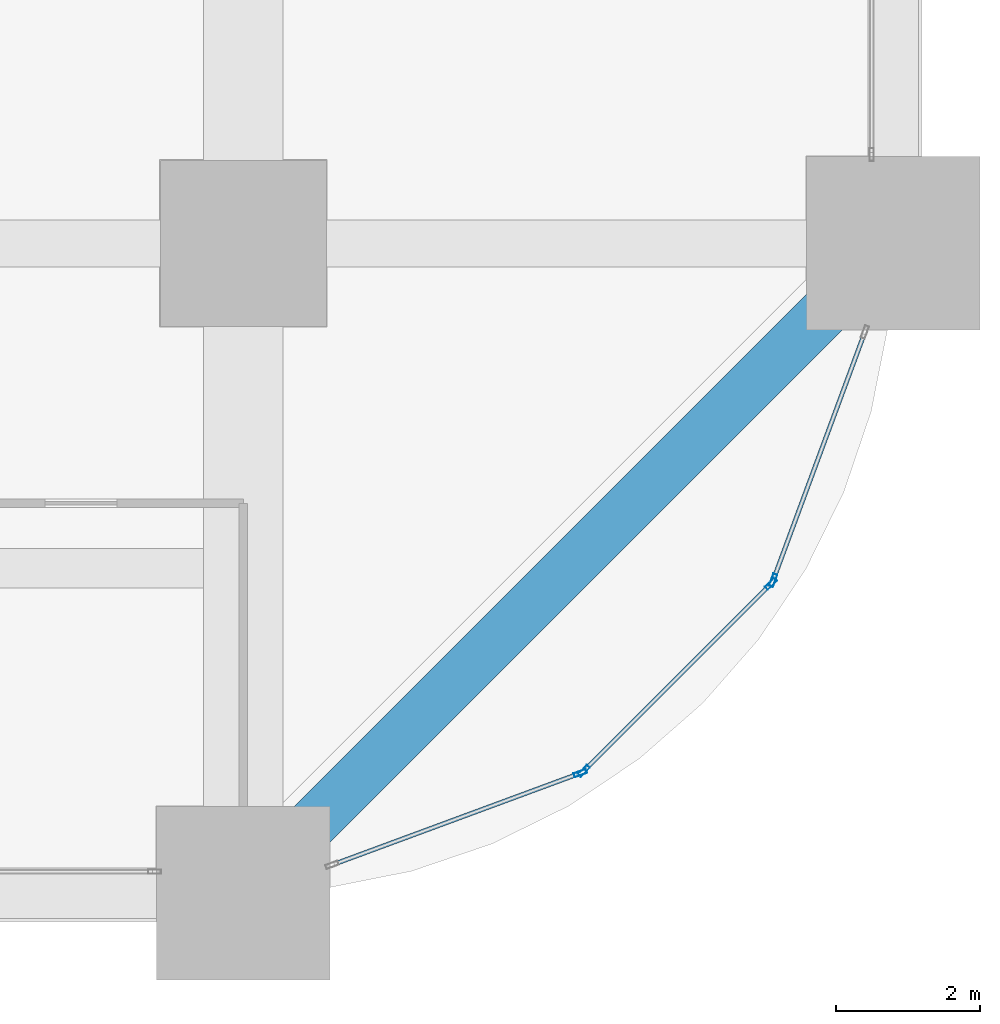
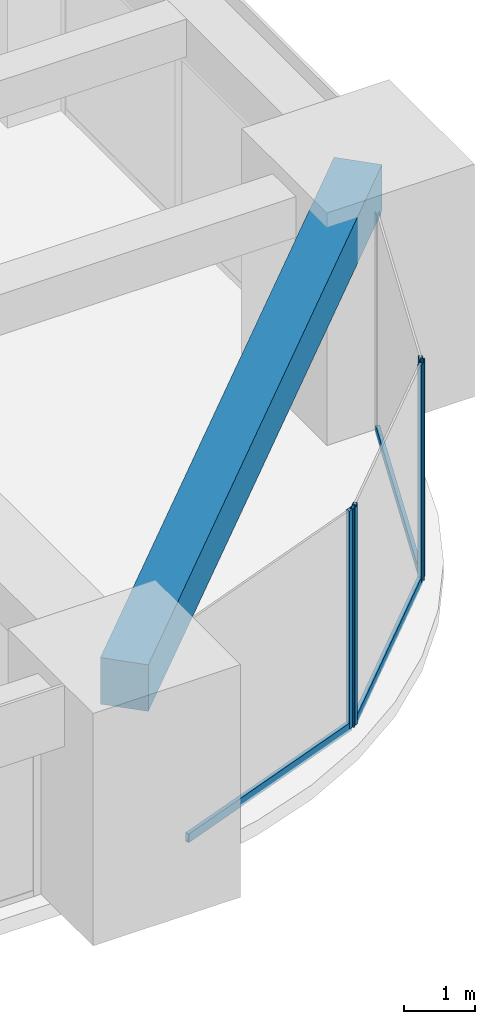
# One storey, part 16 of 45: 7 members, 1 beam, 3 elements without a shape of their own.
"""IFC4 building model written with IfcOpenShell, lengths in metres."""

from ifc_helpers import new_model, si_unit, direction, frame, origin, origin_2d, place, context, subcontext, project, spatial, rectangle, hollow_rectangle, extrude, material, material_profile, profile_set, type_object, element, aggregate, save


model = new_model("IFC4")

# Units and contexts
model_context = context("Model", 3, precision=1e-05, world=origin(), true_north=direction((0.0, 1.0)))
body_context = subcontext(model_context, "Body", "Model", "MODEL_VIEW")
ifc_project = project(units=[si_unit("LENGTHUNIT", "METRE"), si_unit("AREAUNIT", "SQUARE_METRE"), si_unit("VOLUMEUNIT", "CUBIC_METRE"), si_unit("PLANEANGLEUNIT", "RADIAN"), si_unit("MASSUNIT", "GRAM", prefix="KILO")], contexts=[model_context])

# Site, building, storey
site_placement = place(None, origin())
site = spatial("IfcSite", under=ifc_project, at=site_placement, CompositionType="ELEMENT")
building_placement = place(site_placement, origin())
building = spatial("IfcBuilding", under=site, at=building_placement, Name="Zorevar Civic Tower", CompositionType="ELEMENT")
storey_placement = place(building_placement, frame((0.0, 0.0, 39.800048828125)))
storey = spatial("IfcBuildingStorey", under=building, at=storey_placement, Name="L09", CompositionType="ELEMENT", Elevation=39.800048828125)

# Curtain wall, member
ifc_material_1 = material(Name="Dark grey solar-control glass in black aluminium frame", Category="aluminium")
curtain_wall_type = type_object("IfcCurtainWallType", Name="Curtain wall CW2 low zone", PredefinedType="NOTDEFINED", material=ifc_material_1)
curtain_wall_1_placement = place(storey_placement, origin())
curtain_wall_1 = element("IfcCurtainWall", 1, at=curtain_wall_1_placement, inside=storey, type_object=curtain_wall_type, Name="CW2 L09", PredefinedType="NOTDEFINED")
ifc_material_2 = material(Name="Aluminium, black anodised", Category="aluminium")
ifc_material_profile_1 = material_profile(ifc_material_2, hollow_rectangle(XDim=0.06005859375, YDim=0.179931640625, WallThickness=0.00390625, at=origin_2d()), Name="AL 180x60x4")
ifc_profile_set_1 = profile_set([ifc_material_profile_1], Name="Aluminium, black anodised")
member_type_1 = type_object("IfcMemberType", Name="CW2 mullion AL 180x60x4", PredefinedType="MULLION", material=ifc_profile_set_1)
member_1_placement = place(storey_placement, frame((58.66455078125, 1.663818359375, 0.0), z_axis=(0.0, 0.0, 1.0), x_axis=(-0.346704012033, 0.937974588163, 0.0)))
member_1 = element("IfcMember", 2, at=member_1_placement, type_object=member_type_1, Name="CW2 mullion 2", PredefinedType="MULLION", context=body_context, shape_type="SweptSolid", body=[
    extrude(hollow_rectangle(XDim=0.06005859375, YDim=0.179931640625, WallThickness=0.00390625, at=origin_2d()), origin(), (0.0, 0.0, 1.0), 3.75),
])

# Curtain wall, members
curtain_wall_2_placement = place(storey_placement, origin())
curtain_wall_2 = element("IfcCurtainWall", 3, at=curtain_wall_2_placement, inside=storey, type_object=curtain_wall_type, Name="CW2 L09", PredefinedType="NOTDEFINED")
member_2_placement = place(storey_placement, frame((58.7138671875, 1.6953125, 0.0), z_axis=(0.0, 0.0, 1.0), x_axis=(-0.707106781187, 0.707106781187, 0.0)))
member_2 = element("IfcMember", 4, at=member_2_placement, type_object=member_type_1, Name="CW2 mullion 1", PredefinedType="MULLION", context=body_context, shape_type="SweptSolid", body=[
    extrude(hollow_rectangle(XDim=0.06005859375, YDim=0.179931640625, WallThickness=0.00390625, at=origin_2d()), origin(), (0.0, 0.0, 1.0), 3.75),
])
member_3_placement = place(storey_placement, frame((61.3046875, 4.2861328125, 0.0), z_axis=(0.0, 0.0, 1.0), x_axis=(-0.707106781187, 0.707106781187, 0.0)))
member_3 = element("IfcMember", 5, at=member_3_placement, type_object=member_type_1, Name="CW2 mullion 2", PredefinedType="MULLION", context=body_context, shape_type="SweptSolid", body=[
    extrude(hollow_rectangle(XDim=0.06005859375, YDim=0.179931640625, WallThickness=0.00390625, at=origin_2d()), origin(), (0.0, 0.0, 1.0), 3.75),
])

# Curtain wall, member
curtain_wall_3_placement = place(storey_placement, origin())
curtain_wall_3 = element("IfcCurtainWall", 6, at=curtain_wall_3_placement, inside=storey, type_object=curtain_wall_type, Name="CW2 L09", PredefinedType="NOTDEFINED")
member_4_placement = place(storey_placement, frame((61.336181640625, 4.33544921875, 0.0), z_axis=(0.0, 0.0, 1.0), x_axis=(-0.937974588163, 0.346704012033, 0.0)))
member_4 = element("IfcMember", 7, at=member_4_placement, type_object=member_type_1, Name="CW2 mullion 1", PredefinedType="MULLION", context=body_context, shape_type="SweptSolid", body=[
    extrude(hollow_rectangle(XDim=0.06005859375, YDim=0.179931640625, WallThickness=0.00390625, at=origin_2d()), origin(), (0.0, 0.0, 1.0), 3.75),
])

# Member
ifc_material_3 = material(Name="Aluminium, black anodised", Category="aluminium")
ifc_material_profile_2 = material_profile(ifc_material_3, hollow_rectangle(XDim=0.06005859375, YDim=0.14990234375, WallThickness=0.00390625, at=origin_2d()), Name="AL 150x60x4")
ifc_profile_set_2 = profile_set([ifc_material_profile_2], Name="Aluminium, black anodised")
member_type_2 = type_object("IfcMemberType", Name="CW2 transom AL 150x60x4", PredefinedType="USERDEFINED", material=ifc_profile_set_2)
member_5_placement = place(storey_placement, frame((55.25634765625, 0.404052734375, 0.030029296875), z_axis=(0.93798635741, 0.346672169799, 0.0), x_axis=(-0.346672169799, 0.93798635741, 0.0)))
member_5 = element("IfcMember", 8, at=member_5_placement, type_object=member_type_2, Name="CW2 sill transom", ObjectType="TRANSOM", PredefinedType="USERDEFINED", context=body_context, shape_type="SweptSolid", body=[
    extrude(hollow_rectangle(XDim=0.06005859375, YDim=0.14990234375, WallThickness=0.00390625, at=origin_2d()), origin(), (0.0, 0.0, 1.0), 3.603515625),
])

aggregate(curtain_wall_1, [member_1, member_5])

member_6_placement = place(storey_placement, frame((58.735107421875, 1.716552734375, 0.030029296875), z_axis=(0.707106781187, 0.707106781187, 0.0), x_axis=(-0.707106781187, 0.707106781187, 0.0)))
member_6 = element("IfcMember", 9, at=member_6_placement, type_object=member_type_2, Name="CW2 sill transom", ObjectType="TRANSOM", PredefinedType="USERDEFINED", context=body_context, shape_type="SweptSolid", body=[
    extrude(hollow_rectangle(XDim=0.06005859375, YDim=0.14990234375, WallThickness=0.00390625, at=origin_2d()), origin(), (0.0, 0.0, 1.0), 3.60400390625),
])

aggregate(curtain_wall_2, [member_2, member_3, member_6])

member_7_placement = place(storey_placement, frame((61.3466796875, 4.363525390625, 0.030029296875), z_axis=(0.346672169799, 0.93798635741, 0.0), x_axis=(-0.93798635741, 0.346672169799, 0.0)))
member_7 = element("IfcMember", 10, at=member_7_placement, type_object=member_type_2, Name="CW2 sill transom", ObjectType="TRANSOM", PredefinedType="USERDEFINED", context=body_context, shape_type="SweptSolid", body=[
    extrude(hollow_rectangle(XDim=0.06005859375, YDim=0.14990234375, WallThickness=0.00390625, at=origin_2d()), origin(), (0.0, 0.0, 1.0), 3.603515625),
])

aggregate(curtain_wall_3, [member_4, member_7])

# Beam
ifc_material_4 = material(Name="Concrete C50/60", Category="concrete")
ifc_material_profile_3 = material_profile(ifc_material_4, rectangle(XDim=0.699951171875, YDim=0.800048828125, at=origin_2d()), Name="RC 700x800")
ifc_profile_set_3 = profile_set([ifc_material_profile_3], Name="Concrete C50/60")
beam_type = type_object("IfcBeamType", Name="Edge beam RC 700x800", PredefinedType="SPANDREL", material=ifc_profile_set_3)
beam_placement = place(storey_placement, frame((54.0, 0.0, 3.349853515625), z_axis=(0.707106781187, 0.707106781187, 0.0), x_axis=(-0.707106781187, 0.707106781187, 0.0)))
element("IfcBeam", 11, at=beam_placement, inside=storey, type_object=beam_type, Name="Corner edge beam L10", PredefinedType="SPANDREL", context=body_context, shape_type="SweptSolid", body=[
    extrude(rectangle(XDim=0.699951171875, YDim=0.800048828125, at=origin_2d()), origin(), (0.0, 0.0, 1.0), 12.72802734375),
])

save(model, "model.ifc")
